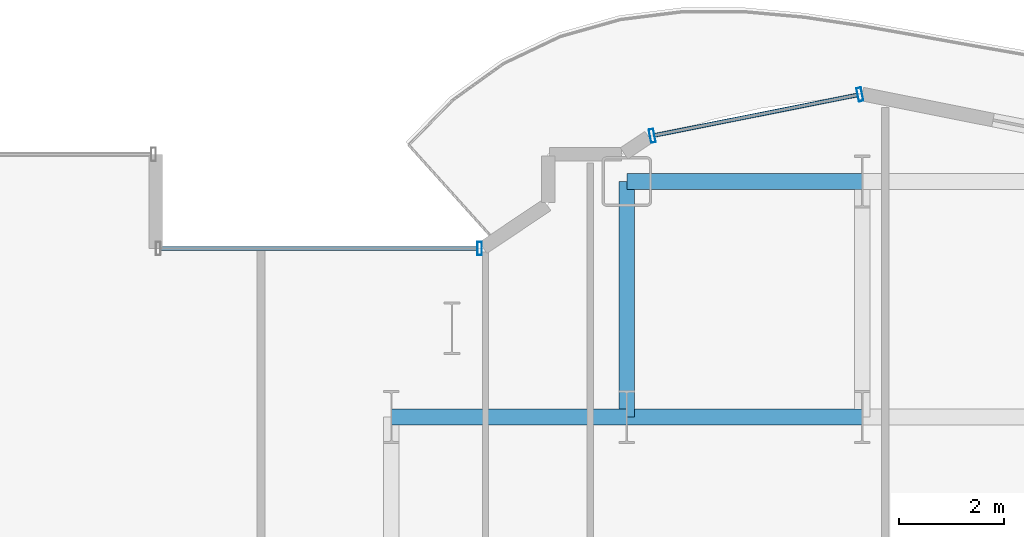
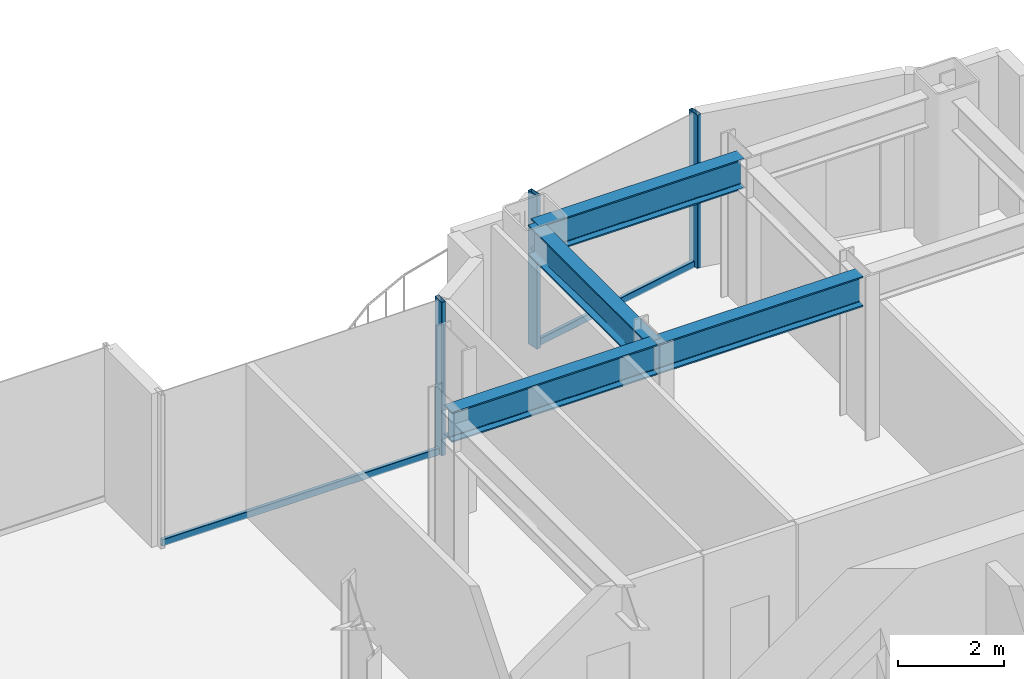
# One storey, part 13 of 29: 5 members, 4 beams, 2 elements without a shape of their own.
"""IFC4 building model written with IfcOpenShell, lengths in metres."""

from ifc_helpers import new_model, si_unit, direction, frame, origin, origin_2d, place, context, subcontext, project, spatial, hollow_rectangle, i_section, extrude, source, transform, mapped, material, layer, layer_set, material_profile, profile_set, type_object, element, aggregate, save


model = new_model("IFC4")

# Units and contexts
model_context = context("Model", 3, precision=1e-05, world=origin(), true_north=direction((0.0, 1.0)))
body_context = subcontext(model_context, "Body", "Model", "MODEL_VIEW")
ifc_project = project(units=[si_unit("LENGTHUNIT", "METRE"), si_unit("AREAUNIT", "SQUARE_METRE"), si_unit("VOLUMEUNIT", "CUBIC_METRE"), si_unit("PLANEANGLEUNIT", "RADIAN"), si_unit("MASSUNIT", "GRAM", prefix="KILO")], contexts=[model_context])

# Site, building, storey
site_placement = place(None, origin())
site = spatial("IfcSite", under=ifc_project, at=site_placement, CompositionType="ELEMENT")
building_placement = place(site_placement, origin())
building = spatial("IfcBuilding", under=site, at=building_placement, Name="Nefas-Gora Pilgrimage Tower", CompositionType="ELEMENT")
storey_placement = place(building_placement, frame((0.0, 0.0, 78.60009765625)))
storey = spatial("IfcBuildingStorey", under=building, at=storey_placement, Name="L18", CompositionType="ELEMENT", Elevation=78.60009765625)

# Beams
ifc_material_1 = material(Name="Steel S355", Category="steel")
ifc_material_profile_1 = material_profile(ifc_material_1, i_section(OverallWidth=0.300048828125, OverallDepth=0.699951171875, WebThickness=0.01708984375, FlangeThickness=0.031982421875, FilletRadius=0.027099609375, at=origin_2d()), Name="HEB 700")
ifc_profile_set_1 = profile_set([ifc_material_profile_1], Name="Steel S355")
beam_type = type_object("IfcBeamType", Name="BM-GIR-HEB700", PredefinedType="BEAM", material=ifc_profile_set_1)
shared_shape_1 = source(origin(), body_context, "Body", "SweptSolid", [
    extrude(i_section(OverallWidth=0.300048828125, OverallDepth=0.699951171875, WebThickness=0.01708984375, FlangeThickness=0.031982421875, FilletRadius=0.027099609375, at=origin_2d()), origin(), (0.0, 0.0, 1.0), 4.5),
])
for number, where, z_axis, x_axis, name in (
    (1, (-11.25, 18.0, 3.199951171875), (1.0, 0.0, 0.0), (0.0, 1.0, 0.0), "L18 G-02 beam"),
    (2, (-6.75, 18.0, 3.199951171875), (0.0, 1.0, 0.0), (-1.0, 0.0, 0.0), "L18 G-02 beam"),
    (3, (-6.75, 18.0, 3.199951171875), (1.0, 0.0, 0.0), (0.0, 1.0, 0.0), "L18 G-02 beam"),
    (4, (-6.75, 22.5, 3.199951171875), (1.0, 0.0, 0.0), (0.0, 1.0, 0.0), "L18 G-02 beam"),
):
    element("IfcBeam", number, at=place(storey_placement, frame(where, z_axis=z_axis, x_axis=x_axis)), inside=storey, type_object=beam_type, Name=name, PredefinedType="BEAM", context=body_context, shape_type="MappedRepresentation", body=[
        mapped(shared_shape_1, transform((0.0, 0.0, 0.0), x_axis=(1.0, 0.0, 0.0), y_axis=(0.0, 1.0, 0.0), z_axis=(0.0, 0.0, 1.0), scale=1.0)),
    ])

# Curtain wall, member
ifc_material_2 = material(Name="Dark ceramic-fritted solar-control aluminium-glass curtain wall", Category="aluminium")
ifc_layer = layer(ifc_material_2, 0.219970703125)
ifc_layer_set = layer_set([ifc_layer], Name="Dark ceramic-fritted solar-control aluminium-glass curtain wall")
curtain_wall_type = type_object("IfcCurtainWallType", Name="CW-SYS-5", PredefinedType="NOTDEFINED", material=ifc_layer_set)
curtain_wall_1_placement = place(storey_placement, origin())
curtain_wall_1 = element("IfcCurtainWall", 5, at=curtain_wall_1_placement, inside=storey, type_object=curtain_wall_type, Name="L18 Unitised Curtain Wall CW5", PredefinedType="NOTDEFINED")
ifc_material_3 = material(Name="Anodised architectural aluminium", Category="aluminium")
ifc_material_profile_2 = material_profile(ifc_material_3, hollow_rectangle(XDim=0.080078125, YDim=0.159912109375, WallThickness=0.00439453125, InnerFilletRadius=0.00439453125, OuterFilletRadius=0.009033203125, at=origin_2d()), Name="ALU TRANSOM 80x160")
ifc_profile_set_2 = profile_set([ifc_material_profile_2], Name="Anodised architectural aluminium")
member_type_1 = type_object("IfcMemberType", Name="CWM-TRN-5", PredefinedType="USERDEFINED", material=ifc_profile_set_2)
shared_shape_2 = source(origin(), body_context, "Body", "SweptSolid", [
    extrude(hollow_rectangle(XDim=0.080078125, YDim=0.159912109375, WallThickness=0.00439453125, InnerFilletRadius=0.00439453125, OuterFilletRadius=0.009033203125, at=origin_2d()), origin(), (0.0, 0.0, 1.0), 6.052001953125),
])
member_1_placement = place(storey_placement, frame((-9.60791015625, 21.219970703125, 0.0498046875), z_axis=(-1.0, 0.0, 0.0), x_axis=(0.0, -1.0, 0.0)))
member_1 = element("IfcMember", 6, at=member_1_placement, type_object=member_type_1, Name="CW5 Spandrel Transom", ObjectType="TRANSOM", PredefinedType="USERDEFINED", context=body_context, shape_type="MappedRepresentation", body=[
    mapped(shared_shape_2, transform((0.0, 0.0, 0.0), x_axis=(1.0, 0.0, 0.0), y_axis=(0.0, 1.0, 0.0), z_axis=(0.0, 0.0, 1.0), scale=1.0)),
])

# Curtain wall, members
curtain_wall_2_placement = place(storey_placement, origin())
curtain_wall_2 = element("IfcCurtainWall", 7, at=curtain_wall_2_placement, inside=storey, type_object=curtain_wall_type, Name="L18 Unitised Curtain Wall CW5", PredefinedType="NOTDEFINED")
shared_shape_3 = source(origin(), body_context, "Body", "SweptSolid", [
    extrude(hollow_rectangle(XDim=0.080078125, YDim=0.159912109375, WallThickness=0.00439453125, InnerFilletRadius=0.00439453125, OuterFilletRadius=0.009033203125, at=origin_2d()), origin(), (0.0, 0.0, 1.0), 3.95654296875),
])
member_2_placement = place(storey_placement, frame((-2.33837890625, 24.15478515625, 0.0498046875), z_axis=(-0.980781880918, -0.195107411605, 0.0), x_axis=(0.195107411605, -0.980781880918, 0.0)))
member_2 = element("IfcMember", 8, at=member_2_placement, type_object=member_type_1, Name="CW5 Spandrel Transom", ObjectType="TRANSOM", PredefinedType="USERDEFINED", context=body_context, shape_type="MappedRepresentation", body=[
    mapped(shared_shape_3, transform((0.0, 0.0, 0.0), x_axis=(1.0, 0.0, 0.0), y_axis=(0.0, 1.0, 0.0), z_axis=(0.0, 0.0, 1.0), scale=1.0)),
])
ifc_material_profile_3 = material_profile(ifc_material_3, hollow_rectangle(XDim=0.090087890625, YDim=0.260009765625, WallThickness=0.006103515625, InnerFilletRadius=0.006103515625, OuterFilletRadius=0.011962890625, at=origin_2d()), Name="ALU MULLION 90x260")
ifc_profile_set_3 = profile_set([ifc_material_profile_3], Name="Anodised architectural aluminium")
member_type_2 = type_object("IfcMemberType", Name="CWM-MUL-5", PredefinedType="MULLION", material=ifc_profile_set_3)
shared_shape_4 = source(origin(), body_context, "Body", "SweptSolid", [
    extrude(hollow_rectangle(XDim=0.090087890625, YDim=0.260009765625, WallThickness=0.006103515625, InnerFilletRadius=0.006103515625, OuterFilletRadius=0.011962890625, at=origin_2d()), origin(), (0.0, 0.0, 1.0), 3.5498046875),
])
member_3_placement = place(storey_placement, frame((-2.294189453125, 24.16357421875, 0.0), z_axis=(0.0, 0.0, 1.0), x_axis=(-0.980782896852, -0.195102304554, 0.0)))
member_3 = element("IfcMember", 9, at=member_3_placement, type_object=member_type_2, Name="CW5 Mullion 1", PredefinedType="MULLION", context=body_context, shape_type="MappedRepresentation", body=[
    mapped(shared_shape_4, transform((0.0, 0.0, 0.0), x_axis=(1.0, 0.0, 0.0), y_axis=(0.0, 1.0, 0.0), z_axis=(0.0, 0.0, 1.0), scale=1.0)),
])
member_4_placement = place(storey_placement, frame((-6.26318359375, 23.3740234375, 0.0), z_axis=(0.0, 0.0, 1.0), x_axis=(-0.980782896852, -0.195102304554, 0.0)))
member_4 = element("IfcMember", 10, at=member_4_placement, type_object=member_type_2, Name="CW5 Mullion 2", PredefinedType="MULLION", context=body_context, shape_type="MappedRepresentation", body=[
    mapped(shared_shape_4, transform((0.0, 0.0, 0.0), x_axis=(1.0, 0.0, 0.0), y_axis=(0.0, 1.0, 0.0), z_axis=(0.0, 0.0, 1.0), scale=1.0)),
])
aggregate(curtain_wall_2, [member_3, member_4, member_2])

# Member
member_5_placement = place(storey_placement, frame((-9.56298828125, 21.219970703125, 0.0), z_axis=(0.0, 0.0, 1.0), x_axis=(-1.0, 0.0, 0.0)))
member_5 = element("IfcMember", 11, at=member_5_placement, type_object=member_type_2, Name="CW5 Mullion 1", PredefinedType="MULLION", context=body_context, shape_type="MappedRepresentation", body=[
    mapped(shared_shape_4, transform((0.0, 0.0, 0.0), x_axis=(1.0, 0.0, 0.0), y_axis=(0.0, 1.0, 0.0), z_axis=(0.0, 0.0, 1.0), scale=1.0)),
])

aggregate(curtain_wall_1, [member_5, member_1])

save(model, "model.ifc")
